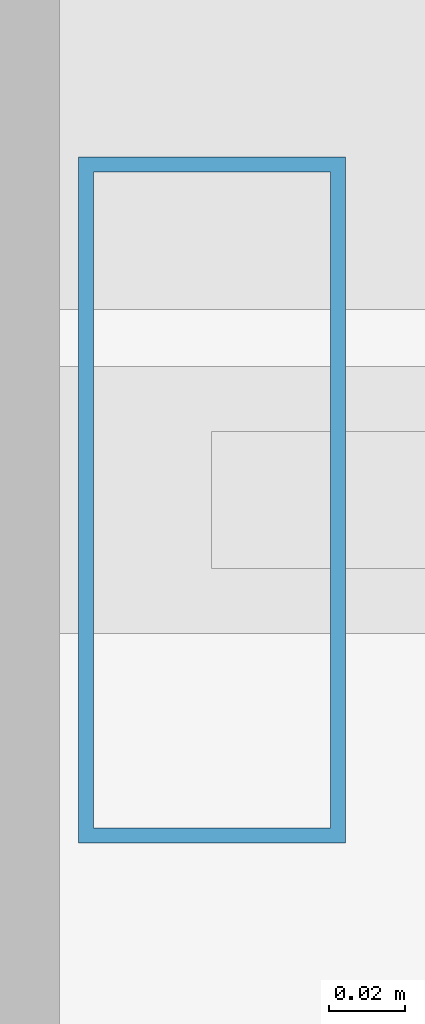
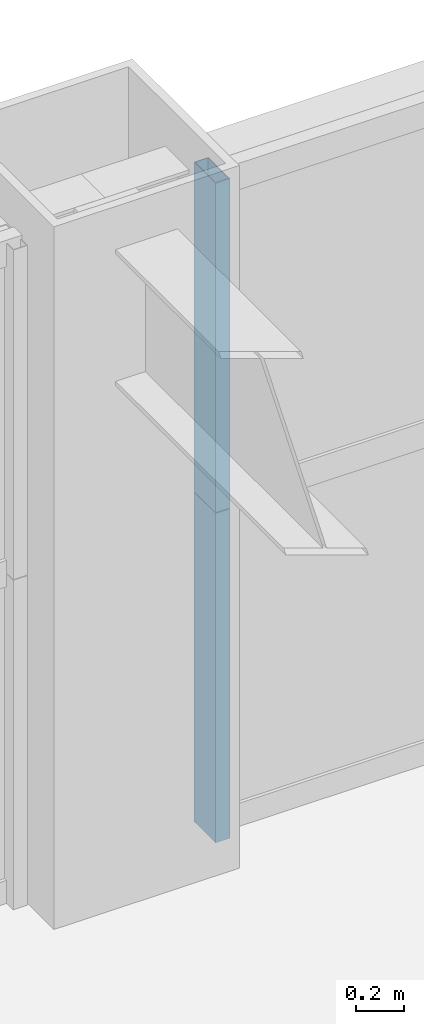
# One storey, part 31 of 43: 2 members, 1 element without a shape of its own.
"""IFC4 building model written with IfcOpenShell, lengths in metres."""

from ifc_helpers import new_model, si_unit, direction, frame, origin, origin_2d, place, context, subcontext, project, spatial, hollow_rectangle, extrude, source, transform, mapped, material, layer, layer_set, material_profile, profile_set, type_object, element, aggregate, save


model = new_model("IFC4")

# Units and contexts
model_context = context("Model", 3, precision=1e-05, world=origin(), true_north=direction((0.0, 1.0)))
body_context = subcontext(model_context, "Body", "Model", "MODEL_VIEW")
ifc_project = project(units=[si_unit("LENGTHUNIT", "METRE"), si_unit("AREAUNIT", "SQUARE_METRE"), si_unit("VOLUMEUNIT", "CUBIC_METRE"), si_unit("PLANEANGLEUNIT", "RADIAN"), si_unit("MASSUNIT", "GRAM", prefix="KILO"), si_unit("THERMODYNAMICTEMPERATUREUNIT", "KELVIN"), si_unit("POWERUNIT", "WATT")], contexts=[model_context])

# Site, building, storey
site_placement = place(None, origin())
site = spatial("IfcSite", under=ifc_project, at=site_placement, CompositionType="ELEMENT")
building_placement = place(site_placement, origin())
building = spatial("IfcBuilding", under=site, at=building_placement, Name="Yuzanri Waterfront Tower", CompositionType="ELEMENT")
storey_placement = place(building_placement, frame((0.0, 0.0, 138.0)))
storey = spatial("IfcBuildingStorey", under=building, at=storey_placement, Name="L36", CompositionType="ELEMENT", Elevation=138.0)

# Curtain wall, members
ifc_material_1 = material(Name="Anodized Architectural Bronze", Category="metal")
ifc_layer = layer(ifc_material_1, 0.159912109375)
ifc_layer_set = layer_set([ifc_layer], Name="Anodized Architectural Bronze")
curtain_wall_type = type_object("IfcCurtainWallType", Name="Anodized Bronze Hotel Upper-Tier Solar-Control Unitized Curtain Wall 7800", PredefinedType="NOTDEFINED", material=ifc_layer_set)
curtain_wall_placement = place(storey_placement, origin())
curtain_wall = element("IfcCurtainWall", 1, at=curtain_wall_placement, inside=storey, type_object=curtain_wall_type, Name="L36 Curtain Wall CW-L36-NR", PredefinedType="NOTDEFINED")
ifc_material_2 = material(Name="Anodized Architectural Bronze", Category="metal")
ifc_material_profile = material_profile(ifc_material_2, hollow_rectangle(XDim=0.070068359375, YDim=0.179931640625, WallThickness=0.00390625, at=origin_2d()), Name="CWM 70x180")
ifc_profile_set = profile_set([ifc_material_profile], Name="Anodized Architectural Bronze")
member_type = type_object("IfcMemberType", Name="Anodized Bronze Standard Curtain-Wall Mullion 70x180", PredefinedType="MULLION", material=ifc_profile_set)
shared_shape = source(origin(), body_context, "Body", "SweptSolid", [
    extrude(hollow_rectangle(XDim=0.070068359375, YDim=0.179931640625, WallThickness=0.00390625, at=origin_2d()), origin(), (0.0, 0.0, 1.0), 1.68798828125),
])
member_1_placement = place(storey_placement, frame((37.489990234375, 49.25, 0.0), z_axis=(0.0, 0.0, 1.0), x_axis=(1.0, 0.0, 0.0)))
member_1 = element("IfcMember", 2, at=member_1_placement, type_object=member_type, Name="CW-L36-NR Lower Mullion 00", PredefinedType="MULLION", context=body_context, shape_type="MappedRepresentation", body=[
    mapped(shared_shape, transform((0.0, 0.0, 0.0), scale=1.0)),
])
member_2_placement = place(storey_placement, frame((37.489990234375, 49.25, 1.69189453125), z_axis=(0.0, 0.0, 1.0), x_axis=(1.0, 0.0, 0.0)))
member_2 = element("IfcMember", 3, at=member_2_placement, type_object=member_type, Name="CW-L36-NR Upper Mullion 00", PredefinedType="MULLION", context=body_context, shape_type="MappedRepresentation", body=[
    mapped(shared_shape, transform((0.0, 0.0, 0.0), scale=1.0)),
])
aggregate(curtain_wall, [member_1, member_2])

save(model, "model.ifc")
